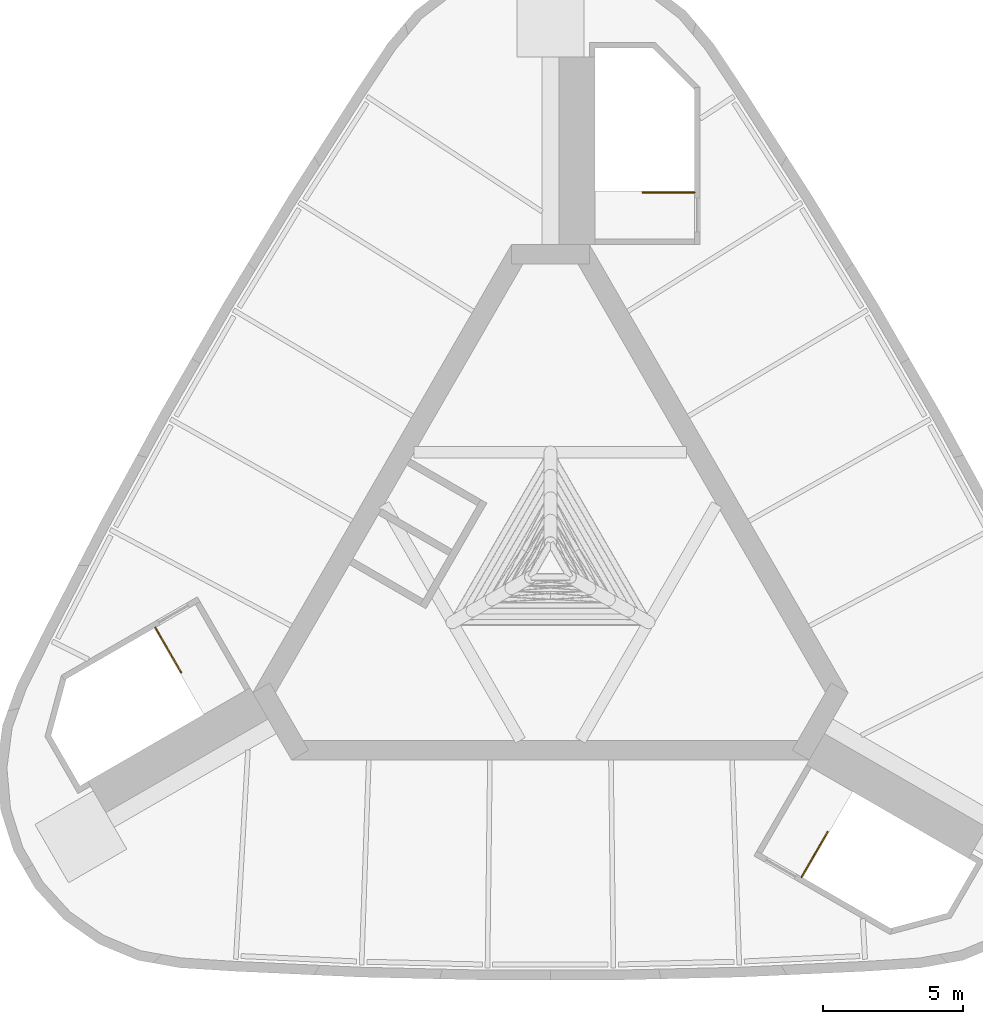
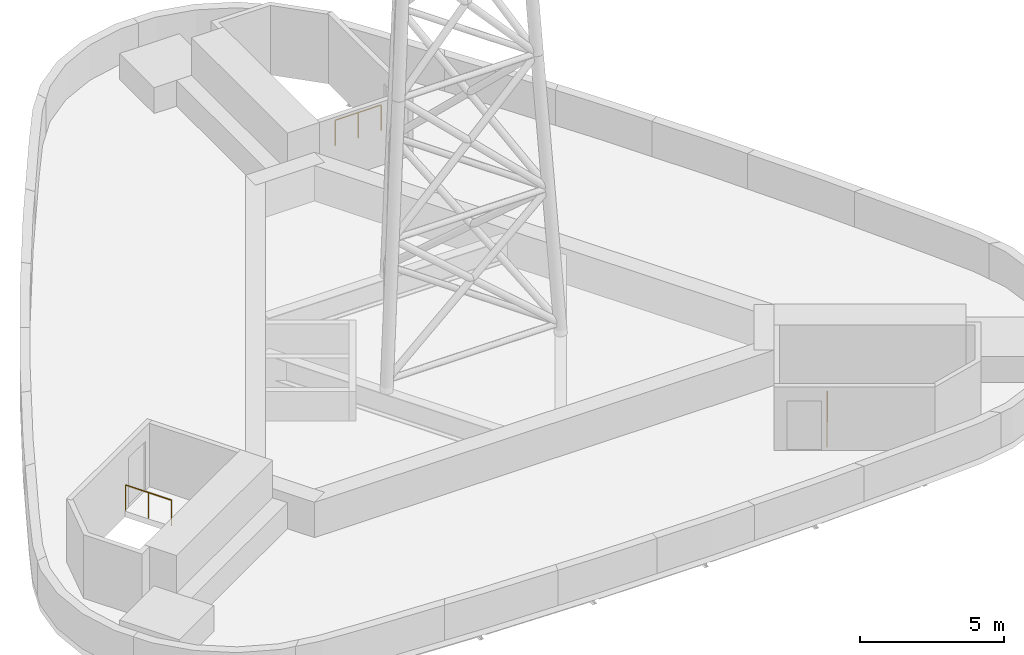
# One storey, part 4 of 4: 3 railings.
"""IFC4 building model written with IfcOpenShell, lengths in metres."""

from ifc_helpers import new_model, si_unit, direction, frame, origin, origin_2d, place, context, subcontext, project, spatial, circle, extrude, material, type_object, element, save


model = new_model("IFC4")

# Units and contexts
model_context = context("Model", 3, precision=1e-05, world=origin(), true_north=direction((0.0, 1.0)))
body_context = subcontext(model_context, "Body", "Model", "MODEL_VIEW")
ifc_project = project(units=[si_unit("LENGTHUNIT", "METRE"), si_unit("AREAUNIT", "SQUARE_METRE"), si_unit("VOLUMEUNIT", "CUBIC_METRE"), si_unit("PLANEANGLEUNIT", "RADIAN"), si_unit("MASSUNIT", "GRAM", prefix="KILO")], contexts=[model_context])

# Site, building, storey
site_placement = place(None, origin())
site = spatial("IfcSite", under=ifc_project, at=site_placement, CompositionType="ELEMENT")
building_placement = place(site_placement, origin())
building = spatial("IfcBuilding", under=site, at=building_placement, Name="Noor Cloister Tower", CompositionType="ELEMENT")
storey_placement = place(building_placement, frame((0.0, 0.0, 306.60009765625)))
storey = spatial("IfcBuildingStorey", under=building, at=storey_placement, Name="Roof", CompositionType="ELEMENT", Elevation=306.60009765625)

# Railings
ifc_material = material(Name="Stainless steel", Category="steel")
railing_type = type_object("IfcRailingType", Name="Stair guard 1100", PredefinedType="GUARDRAIL", material=ifc_material)
railing_1_placement = place(storey_placement, frame((5.1357421875, 13.306396484375, 0.0)))
element("IfcRailing", 1, at=railing_1_placement, inside=storey, type_object=railing_type, Name="Stair top guard ST1 Roof 1", PredefinedType="GUARDRAIL", context=body_context, shape_type="SweptSolid", body=[
    extrude(circle(Radius=0.02392578125, at=origin_2d()), frame((0.0, 0.0, 1.076171875), z_axis=(-1.0, 0.0, 0.0), x_axis=(0.0, -1.0, 0.0)), (0.0, 0.0, 1.0), 1.85009765625),
    extrude(circle(Radius=0.02099609375, at=origin_2d()), origin(), (0.0, 0.0, 1.0), 1.052001953125),
    extrude(circle(Radius=0.02099609375, at=origin_2d()), frame((-0.925048828125, 0.0, 0.0)), (0.0, 0.0, 1.0), 1.052001953125),
    extrude(circle(Radius=0.02099609375, at=origin_2d()), frame((-1.85009765625, 0.0, 0.0)), (0.0, 0.0, 1.0), 1.052001953125),
])
railing_2_placement = place(storey_placement, frame((-14.091552734375, -2.20556640625, 0.0)))
element("IfcRailing", 2, at=railing_2_placement, inside=storey, type_object=railing_type, Name="Stair top guard ST2 Roof 1", PredefinedType="GUARDRAIL", context=body_context, shape_type="SweptSolid", body=[
    extrude(circle(Radius=0.02392578125, at=origin_2d()), frame((0.0, 0.0, 1.076171875), z_axis=(0.499985172903, -0.866033964044, 0.0), x_axis=(0.866033964044, 0.499985172903, 0.0)), (0.0, 0.0, 1.0), 1.85009765625),
    extrude(circle(Radius=0.02099609375, at=origin_2d()), origin(), (0.0, 0.0, 1.0), 1.052001953125),
    extrude(circle(Radius=0.02099609375, at=origin_2d()), frame((0.46240234375, -0.80126953125, 0.0)), (0.0, 0.0, 1.0), 1.052001953125),
    extrude(circle(Radius=0.02099609375, at=origin_2d()), frame((0.925048828125, -1.602294921875, 0.0)), (0.0, 0.0, 1.0), 1.052001953125),
])
railing_3_placement = place(storey_placement, frame((8.955810546875, -11.100830078125, 0.0)))
element("IfcRailing", 3, at=railing_3_placement, inside=storey, type_object=railing_type, Name="Stair top guard ST3 Roof 1", PredefinedType="GUARDRAIL", context=body_context, shape_type="SweptSolid", body=[
    extrude(circle(Radius=0.02392578125, at=origin_2d()), frame((0.0, 0.0, 1.076171875), z_axis=(0.499985172903, 0.866033964044, 0.0), x_axis=(-0.866033964044, 0.499985172903, 0.0)), (0.0, 0.0, 1.0), 1.85009765625),
    extrude(circle(Radius=0.02099609375, at=origin_2d()), origin(), (0.0, 0.0, 1.0), 1.052001953125),
    extrude(circle(Radius=0.02099609375, at=origin_2d()), frame((0.46240234375, 0.80126953125, 0.0)), (0.0, 0.0, 1.0), 1.052001953125),
    extrude(circle(Radius=0.02099609375, at=origin_2d()), frame((0.925048828125, 1.602294921875, 0.0)), (0.0, 0.0, 1.0), 1.052001953125),
])

save(model, "model.ifc")
